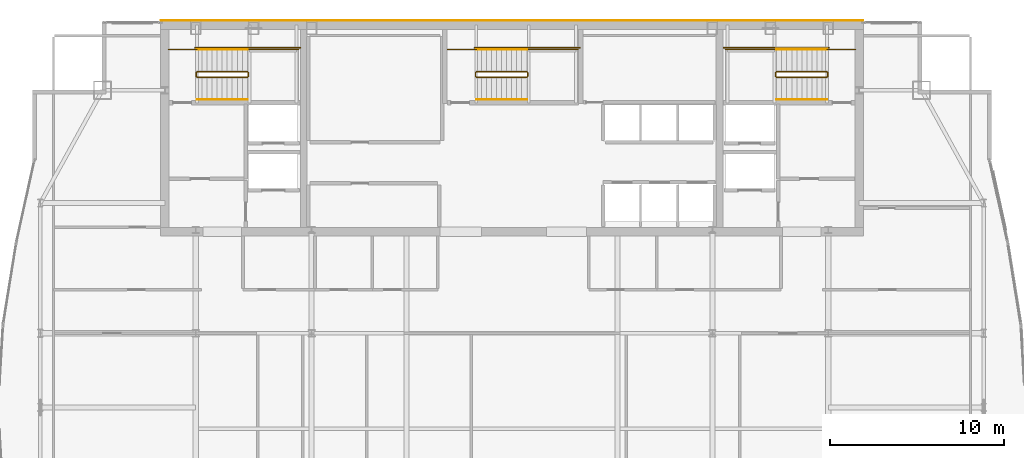
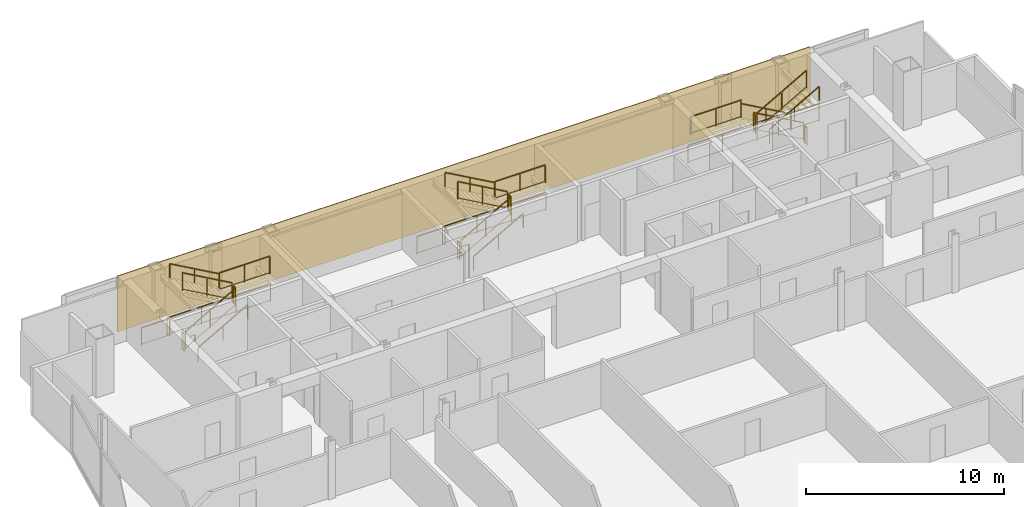
# One storey, part 30 of 30: 27 railings, 1 covering.
"""IFC4 building model written with IfcOpenShell, lengths in metres."""

from ifc_helpers import new_model, si_unit, direction, frame, origin, origin_2d, place, context, subcontext, project, spatial, polyline, rectangle, outline, extrude, material, layer, layer_set, type_object, element, save


model = new_model("IFC4")

# Units and contexts
model_context = context("Model", 3, precision=1e-05, world=origin(), true_north=direction((0.0, 1.0)))
body_context = subcontext(model_context, "Body", "Model", "MODEL_VIEW")
ifc_project = project(units=[si_unit("LENGTHUNIT", "METRE"), si_unit("AREAUNIT", "SQUARE_METRE"), si_unit("VOLUMEUNIT", "CUBIC_METRE"), si_unit("PLANEANGLEUNIT", "RADIAN"), si_unit("MASSUNIT", "GRAM", prefix="KILO")], contexts=[model_context])

# Site, building, storey
site_placement = place(None, origin())
site = spatial("IfcSite", under=ifc_project, at=site_placement, CompositionType="ELEMENT")
building_placement = place(site_placement, origin())
building = spatial("IfcBuilding", under=site, at=building_placement, Name="Khoronbel Lancet Exchange", CompositionType="ELEMENT")
storey_placement = place(building_placement, frame((0.0, 0.0, 269.800048828125)))
storey = spatial("IfcBuildingStorey", under=building, at=storey_placement, Name="L69", CompositionType="ELEMENT", Elevation=269.800048828125)

# Covering
ifc_material_1 = material(Name="Honed Egyptian Limestone & Bronze Rainscreen", Category="masonry")
ifc_layer = layer(ifc_material_1, 0.050048828125, Name="Honed Egyptian Limestone & Bronze Rainscreen")
ifc_layer_set = layer_set([ifc_layer], Name="Honed Egyptian Limestone & Bronze Rainscreen")
covering_type = type_object("IfcCoveringType", Name="COV-CLAD1", PredefinedType="CLADDING", material=ifc_layer_set)
covering_placement = place(storey_placement, origin())
element("IfcCovering", 1, at=covering_placement, inside=storey, type_object=covering_type, Name="Level L69 north rear-core stone and bronze rainscreen cladding", PredefinedType="CLADDING", context=body_context, shape_type="SweptSolid", body=[
    extrude(outline(polyline([(16.199951171875, 53.699951171875), (56.699951171875, 53.699951171875), (56.699951171875, 53.75), (16.199951171875, 53.75), (16.199951171875, 53.699951171875)])), origin(), (0.0, 0.0, 1.0), 3.43994140625),
])

# Railings
ifc_material_2 = material(Name="Painted Steel Balustrade", Category="steel")
railing_type_1 = type_object("IfcRailingType", Name="RL-STG110", PredefinedType="GUARDRAIL", material=ifc_material_2)
railing_1_placement = place(storey_placement, frame((18.300048828125, 50.449951171875, 0.16357421875)))
element("IfcRailing", 2, at=railing_1_placement, inside=storey, type_object=railing_type_1, Name="L69 ST1 stair guard 1", PredefinedType="GUARDRAIL", context=body_context, shape_type="SweptSolid", body=[
    extrude(rectangle(XDim=0.048095703125, YDim=0.048095703125, at=origin_2d()), frame((0.0, 0.0, 1.09619140625), z_axis=(0.870897200241, 0.0, 0.491465224214), x_axis=(0.0, 1.0, 0.0)), (0.0, 0.0, 1.0), 3.329833984375),
    extrude(rectangle(XDim=0.02392578125, YDim=0.02392578125, at=origin_2d()), frame((0.0, 0.0, 0.080078125), z_axis=(0.870897200241, 0.0, 0.491465224214), x_axis=(0.0, 1.0, 0.0)), (0.0, 0.0, 1.0), 3.329833984375),
    extrude(rectangle(XDim=0.0419921875, YDim=0.0419921875, at=origin_2d()), origin(), (0.0, 0.0, 1.0), 1.072021484375),
    extrude(rectangle(XDim=0.0419921875, YDim=0.0419921875, at=origin_2d()), frame((1.449951171875, 0.0, 0.818359375)), (0.0, 0.0, 1.0), 1.072021484375),
    extrude(rectangle(XDim=0.0419921875, YDim=0.0419921875, at=origin_2d()), frame((2.89990234375, 0.0, 1.636474609375)), (0.0, 0.0, 1.0), 1.072021484375),
])
railing_2_placement = place(storey_placement, frame((21.25, 50.5, 1.800048828125)))
element("IfcRailing", 3, at=railing_2_placement, inside=storey, type_object=railing_type_1, Name="L69 ST1 stair guard 2", PredefinedType="GUARDRAIL", context=body_context, shape_type="SweptSolid", body=[
    extrude(rectangle(XDim=0.048095703125, YDim=0.048095703125, at=origin_2d()), frame((0.0, 0.0, 1.09619140625), z_axis=(0.0, 1.0, 0.0), x_axis=(-1.0, 0.0, 0.0)), (0.0, 0.0, 1.0), 0.219970703125),
    extrude(rectangle(XDim=0.02392578125, YDim=0.02392578125, at=origin_2d()), frame((0.0, 0.0, 0.080078125), z_axis=(0.0, 1.0, 0.0), x_axis=(-1.0, 0.0, 0.0)), (0.0, 0.0, 1.0), 0.219970703125),
    extrude(rectangle(XDim=0.0419921875, YDim=0.0419921875, at=origin_2d()), origin(), (0.0, 0.0, 1.0), 1.072021484375),
    extrude(rectangle(XDim=0.0419921875, YDim=0.0419921875, at=origin_2d()), frame((0.0, 0.219970703125, 0.0)), (0.0, 0.0, 1.0), 1.072021484375),
])
railing_3_placement = place(storey_placement, frame((21.199951171875, 52.050048828125, 1.800048828125)))
element("IfcRailing", 4, at=railing_3_placement, inside=storey, type_object=railing_type_1, Name="L69 ST1 stair guard 3", PredefinedType="GUARDRAIL", context=body_context, shape_type="SweptSolid", body=[
    extrude(rectangle(XDim=0.048095703125, YDim=0.048095703125, at=origin_2d()), frame((0.0, 0.0, 1.09619140625), z_axis=(1.0, 0.0, 0.0), x_axis=(0.0, 1.0, 0.0)), (0.0, 0.0, 1.0), 2.949951171875),
    extrude(rectangle(XDim=0.02392578125, YDim=0.02392578125, at=origin_2d()), frame((0.0, 0.0, 0.080078125), z_axis=(1.0, 0.0, 0.0), x_axis=(0.0, 1.0, 0.0)), (0.0, 0.0, 1.0), 2.949951171875),
    extrude(rectangle(XDim=0.0419921875, YDim=0.0419921875, at=origin_2d()), origin(), (0.0, 0.0, 1.0), 1.072021484375),
    extrude(rectangle(XDim=0.0419921875, YDim=0.0419921875, at=origin_2d()), frame((1.47509765625, 0.0, 0.0)), (0.0, 0.0, 1.0), 1.072021484375),
    extrude(rectangle(XDim=0.0419921875, YDim=0.0419921875, at=origin_2d()), frame((2.949951171875, 0.0, 0.0)), (0.0, 0.0, 1.0), 1.072021484375),
])
railing_4_placement = place(storey_placement, frame((21.199951171875, 50.77001953125, 1.963623046875)))
element("IfcRailing", 5, at=railing_4_placement, inside=storey, type_object=railing_type_1, Name="L69 ST1 stair guard 4", PredefinedType="GUARDRAIL", context=body_context, shape_type="SweptSolid", body=[
    extrude(rectangle(XDim=0.048095703125, YDim=0.048095703125, at=origin_2d()), frame((0.0, 0.0, 1.09619140625), z_axis=(-0.870928581787, 0.0, 0.491409610636), x_axis=(0.0, -1.0, 0.0)), (0.0, 0.0, 1.0), 3.32958984375),
    extrude(rectangle(XDim=0.02392578125, YDim=0.02392578125, at=origin_2d()), frame((0.0, 0.0, 0.080078125), z_axis=(-0.870928581787, 0.0, 0.491409610636), x_axis=(0.0, -1.0, 0.0)), (0.0, 0.0, 1.0), 3.32958984375),
    extrude(rectangle(XDim=0.0419921875, YDim=0.0419921875, at=origin_2d()), origin(), (0.0, 0.0, 1.0), 1.072021484375),
    extrude(rectangle(XDim=0.0419921875, YDim=0.0419921875, at=origin_2d()), frame((-1.449951171875, 0.0, 0.818115234375)), (0.0, 0.0, 1.0), 1.072021484375),
    extrude(rectangle(XDim=0.0419921875, YDim=0.0419921875, at=origin_2d()), frame((-2.89990234375, 0.0, 1.63623046875)), (0.0, 0.0, 1.0), 1.072021484375),
])
railing_5_placement = place(storey_placement, frame((18.25, 50.5, 0.0)))
element("IfcRailing", 6, at=railing_5_placement, inside=storey, type_object=railing_type_1, Name="L69 ST1 stair guard 5", PredefinedType="GUARDRAIL", context=body_context, shape_type="SweptSolid", body=[
    extrude(rectangle(XDim=0.048095703125, YDim=0.048095703125, at=origin_2d()), frame((0.0, 0.0, 1.09619140625), z_axis=(0.0, 1.0, 0.0), x_axis=(-1.0, 0.0, 0.0)), (0.0, 0.0, 1.0), 0.219970703125),
    extrude(rectangle(XDim=0.02392578125, YDim=0.02392578125, at=origin_2d()), frame((0.0, 0.0, 0.080078125), z_axis=(0.0, 1.0, 0.0), x_axis=(-1.0, 0.0, 0.0)), (0.0, 0.0, 1.0), 0.219970703125),
    extrude(rectangle(XDim=0.0419921875, YDim=0.0419921875, at=origin_2d()), origin(), (0.0, 0.0, 1.0), 1.072021484375),
    extrude(rectangle(XDim=0.0419921875, YDim=0.0419921875, at=origin_2d()), frame((0.0, 0.219970703125, 0.0)), (0.0, 0.0, 1.0), 1.072021484375),
])
railing_6_placement = place(storey_placement, frame((16.64990234375, 52.050048828125, 0.0)))
element("IfcRailing", 7, at=railing_6_placement, inside=storey, type_object=railing_type_1, Name="L69 ST1 stair guard 6", PredefinedType="GUARDRAIL", context=body_context, shape_type="SweptSolid", body=[
    extrude(rectangle(XDim=0.048095703125, YDim=0.048095703125, at=origin_2d()), frame((0.0, 0.0, 1.09619140625), z_axis=(1.0, 0.0, 0.0), x_axis=(0.0, 1.0, 0.0)), (0.0, 0.0, 1.0), 1.650146484375),
    extrude(rectangle(XDim=0.02392578125, YDim=0.02392578125, at=origin_2d()), frame((0.0, 0.0, 0.080078125), z_axis=(1.0, 0.0, 0.0), x_axis=(0.0, 1.0, 0.0)), (0.0, 0.0, 1.0), 1.650146484375),
    extrude(rectangle(XDim=0.0419921875, YDim=0.0419921875, at=origin_2d()), origin(), (0.0, 0.0, 1.0), 1.072021484375),
    extrude(rectangle(XDim=0.0419921875, YDim=0.0419921875, at=origin_2d()), frame((1.650146484375, 0.0, 0.0)), (0.0, 0.0, 1.0), 1.072021484375),
])
railing_7_placement = place(storey_placement, frame((18.199951171875, 52.14990234375, 0.0)))
element("IfcRailing", 8, at=railing_7_placement, inside=storey, type_object=railing_type_1, Name="L69 ST1 stair guard 7", PredefinedType="GUARDRAIL", context=body_context, shape_type="SweptSolid", body=[
    extrude(rectangle(XDim=0.048095703125, YDim=0.048095703125, at=origin_2d()), frame((0.0, 0.0, 1.09619140625), z_axis=(1.0, 0.0, 0.0), x_axis=(0.0, 1.0, 0.0)), (0.0, 0.0, 1.0), 6.050048828125),
    extrude(rectangle(XDim=0.02392578125, YDim=0.02392578125, at=origin_2d()), frame((0.0, 0.0, 0.080078125), z_axis=(1.0, 0.0, 0.0), x_axis=(0.0, 1.0, 0.0)), (0.0, 0.0, 1.0), 6.050048828125),
    extrude(rectangle(XDim=0.0419921875, YDim=0.0419921875, at=origin_2d()), origin(), (0.0, 0.0, 1.0), 1.072021484375),
    extrude(rectangle(XDim=0.0419921875, YDim=0.0419921875, at=origin_2d()), frame((2.0166015625, 0.0, 0.0)), (0.0, 0.0, 1.0), 1.072021484375),
    extrude(rectangle(XDim=0.0419921875, YDim=0.0419921875, at=origin_2d()), frame((4.033447265625, 0.0, 0.0)), (0.0, 0.0, 1.0), 1.072021484375),
    extrude(rectangle(XDim=0.0419921875, YDim=0.0419921875, at=origin_2d()), frame((6.050048828125, 0.0, 0.0)), (0.0, 0.0, 1.0), 1.072021484375),
])
railing_8_placement = place(storey_placement, frame((54.60009765625, 50.77001953125, 0.16357421875)))
element("IfcRailing", 9, at=railing_8_placement, inside=storey, type_object=railing_type_1, Name="L69 ST2 stair guard 1", PredefinedType="GUARDRAIL", context=body_context, shape_type="SweptSolid", body=[
    extrude(rectangle(XDim=0.048095703125, YDim=0.048095703125, at=origin_2d()), frame((0.0, 0.0, 1.09619140625), z_axis=(-0.870914908162, 0.0, 0.491433843708), x_axis=(0.0, -1.0, 0.0)), (0.0, 0.0, 1.0), 3.330078125),
    extrude(rectangle(XDim=0.02392578125, YDim=0.02392578125, at=origin_2d()), frame((0.0, 0.0, 0.080078125), z_axis=(-0.870914908162, 0.0, 0.491433843708), x_axis=(0.0, -1.0, 0.0)), (0.0, 0.0, 1.0), 3.330078125),
    extrude(rectangle(XDim=0.0419921875, YDim=0.0419921875, at=origin_2d()), origin(), (0.0, 0.0, 1.0), 1.072021484375),
    extrude(rectangle(XDim=0.0419921875, YDim=0.0419921875, at=origin_2d()), frame((-1.4501953125, 0.0, 0.818359375)), (0.0, 0.0, 1.0), 1.072021484375),
    extrude(rectangle(XDim=0.0419921875, YDim=0.0419921875, at=origin_2d()), frame((-2.900146484375, 0.0, 1.636474609375)), (0.0, 0.0, 1.0), 1.072021484375),
])
railing_9_placement = place(storey_placement, frame((51.64990234375, 50.719970703125, 1.800048828125)))
element("IfcRailing", 10, at=railing_9_placement, inside=storey, type_object=railing_type_1, Name="L69 ST2 stair guard 2", PredefinedType="GUARDRAIL", context=body_context, shape_type="SweptSolid", body=[
    extrude(rectangle(XDim=0.048095703125, YDim=0.048095703125, at=origin_2d()), frame((0.0, 0.0, 1.09619140625), z_axis=(0.0, -1.0, 0.0), x_axis=(1.0, 0.0, 0.0)), (0.0, 0.0, 1.0), 0.219970703125),
    extrude(rectangle(XDim=0.02392578125, YDim=0.02392578125, at=origin_2d()), frame((0.0, 0.0, 0.080078125), z_axis=(0.0, -1.0, 0.0), x_axis=(1.0, 0.0, 0.0)), (0.0, 0.0, 1.0), 0.219970703125),
    extrude(rectangle(XDim=0.0419921875, YDim=0.0419921875, at=origin_2d()), origin(), (0.0, 0.0, 1.0), 1.072021484375),
    extrude(rectangle(XDim=0.0419921875, YDim=0.0419921875, at=origin_2d()), frame((0.0, -0.219970703125, 0.0)), (0.0, 0.0, 1.0), 1.072021484375),
])
railing_10_placement = place(storey_placement, frame((51.699951171875, 52.050048828125, 1.800048828125)))
element("IfcRailing", 11, at=railing_10_placement, inside=storey, type_object=railing_type_1, Name="L69 ST2 stair guard 3", PredefinedType="GUARDRAIL", context=body_context, shape_type="SweptSolid", body=[
    extrude(rectangle(XDim=0.048095703125, YDim=0.048095703125, at=origin_2d()), frame((0.0, 0.0, 1.09619140625), z_axis=(-1.0, 0.0, 0.0), x_axis=(0.0, -1.0, 0.0)), (0.0, 0.0, 1.0), 2.949951171875),
    extrude(rectangle(XDim=0.02392578125, YDim=0.02392578125, at=origin_2d()), frame((0.0, 0.0, 0.080078125), z_axis=(-1.0, 0.0, 0.0), x_axis=(0.0, -1.0, 0.0)), (0.0, 0.0, 1.0), 2.949951171875),
    extrude(rectangle(XDim=0.0419921875, YDim=0.0419921875, at=origin_2d()), origin(), (0.0, 0.0, 1.0), 1.072021484375),
    extrude(rectangle(XDim=0.0419921875, YDim=0.0419921875, at=origin_2d()), frame((-1.47509765625, 0.0, 0.0)), (0.0, 0.0, 1.0), 1.072021484375),
    extrude(rectangle(XDim=0.0419921875, YDim=0.0419921875, at=origin_2d()), frame((-2.949951171875, 0.0, 0.0)), (0.0, 0.0, 1.0), 1.072021484375),
])
railing_11_placement = place(storey_placement, frame((51.699951171875, 50.449951171875, 1.963623046875)))
element("IfcRailing", 12, at=railing_11_placement, inside=storey, type_object=railing_type_1, Name="L69 ST2 stair guard 4", PredefinedType="GUARDRAIL", context=body_context, shape_type="SweptSolid", body=[
    extrude(rectangle(XDim=0.048095703125, YDim=0.048095703125, at=origin_2d()), frame((0.0, 0.0, 1.09619140625), z_axis=(0.870946286338, 0.0, 0.49137823142), x_axis=(0.0, 1.0, 0.0)), (0.0, 0.0, 1.0), 3.329833984375),
    extrude(rectangle(XDim=0.02392578125, YDim=0.02392578125, at=origin_2d()), frame((0.0, 0.0, 0.080078125), z_axis=(0.870946286338, 0.0, 0.49137823142), x_axis=(0.0, 1.0, 0.0)), (0.0, 0.0, 1.0), 3.329833984375),
    extrude(rectangle(XDim=0.0419921875, YDim=0.0419921875, at=origin_2d()), origin(), (0.0, 0.0, 1.0), 1.072021484375),
    extrude(rectangle(XDim=0.0419921875, YDim=0.0419921875, at=origin_2d()), frame((1.4501953125, 0.0, 0.818115234375)), (0.0, 0.0, 1.0), 1.072021484375),
    extrude(rectangle(XDim=0.0419921875, YDim=0.0419921875, at=origin_2d()), frame((2.900146484375, 0.0, 1.63623046875)), (0.0, 0.0, 1.0), 1.072021484375),
])
railing_12_placement = place(storey_placement, frame((54.64990234375, 50.719970703125, 0.0)))
element("IfcRailing", 13, at=railing_12_placement, inside=storey, type_object=railing_type_1, Name="L69 ST2 stair guard 5", PredefinedType="GUARDRAIL", context=body_context, shape_type="SweptSolid", body=[
    extrude(rectangle(XDim=0.048095703125, YDim=0.048095703125, at=origin_2d()), frame((0.0, 0.0, 1.09619140625), z_axis=(0.0, -1.0, 0.0), x_axis=(1.0, 0.0, 0.0)), (0.0, 0.0, 1.0), 0.219970703125),
    extrude(rectangle(XDim=0.02392578125, YDim=0.02392578125, at=origin_2d()), frame((0.0, 0.0, 0.080078125), z_axis=(0.0, -1.0, 0.0), x_axis=(1.0, 0.0, 0.0)), (0.0, 0.0, 1.0), 0.219970703125),
    extrude(rectangle(XDim=0.0419921875, YDim=0.0419921875, at=origin_2d()), origin(), (0.0, 0.0, 1.0), 1.072021484375),
    extrude(rectangle(XDim=0.0419921875, YDim=0.0419921875, at=origin_2d()), frame((0.0, -0.219970703125, 0.0)), (0.0, 0.0, 1.0), 1.072021484375),
])
railing_13_placement = place(storey_placement, frame((56.25, 52.050048828125, 0.0)))
element("IfcRailing", 14, at=railing_13_placement, inside=storey, type_object=railing_type_1, Name="L69 ST2 stair guard 6", PredefinedType="GUARDRAIL", context=body_context, shape_type="SweptSolid", body=[
    extrude(rectangle(XDim=0.048095703125, YDim=0.048095703125, at=origin_2d()), frame((0.0, 0.0, 1.09619140625), z_axis=(-1.0, 0.0, 0.0), x_axis=(0.0, -1.0, 0.0)), (0.0, 0.0, 1.0), 1.64990234375),
    extrude(rectangle(XDim=0.02392578125, YDim=0.02392578125, at=origin_2d()), frame((0.0, 0.0, 0.080078125), z_axis=(-1.0, 0.0, 0.0), x_axis=(0.0, -1.0, 0.0)), (0.0, 0.0, 1.0), 1.64990234375),
    extrude(rectangle(XDim=0.0419921875, YDim=0.0419921875, at=origin_2d()), origin(), (0.0, 0.0, 1.0), 1.072021484375),
    extrude(rectangle(XDim=0.0419921875, YDim=0.0419921875, at=origin_2d()), frame((-1.64990234375, 0.0, 0.0)), (0.0, 0.0, 1.0), 1.072021484375),
])
railing_14_placement = place(storey_placement, frame((54.699951171875, 52.14990234375, 0.0)))
element("IfcRailing", 15, at=railing_14_placement, inside=storey, type_object=railing_type_1, Name="L69 ST2 stair guard 7", PredefinedType="GUARDRAIL", context=body_context, shape_type="SweptSolid", body=[
    extrude(rectangle(XDim=0.048095703125, YDim=0.048095703125, at=origin_2d()), frame((0.0, 0.0, 1.09619140625), z_axis=(-1.0, 0.0, 0.0), x_axis=(0.0, -1.0, 0.0)), (0.0, 0.0, 1.0), 6.050048828125),
    extrude(rectangle(XDim=0.02392578125, YDim=0.02392578125, at=origin_2d()), frame((0.0, 0.0, 0.080078125), z_axis=(-1.0, 0.0, 0.0), x_axis=(0.0, -1.0, 0.0)), (0.0, 0.0, 1.0), 6.050048828125),
    extrude(rectangle(XDim=0.0419921875, YDim=0.0419921875, at=origin_2d()), origin(), (0.0, 0.0, 1.0), 1.072021484375),
    extrude(rectangle(XDim=0.0419921875, YDim=0.0419921875, at=origin_2d()), frame((-2.0166015625, 0.0, 0.0)), (0.0, 0.0, 1.0), 1.072021484375),
    extrude(rectangle(XDim=0.0419921875, YDim=0.0419921875, at=origin_2d()), frame((-4.033447265625, 0.0, 0.0)), (0.0, 0.0, 1.0), 1.072021484375),
    extrude(rectangle(XDim=0.0419921875, YDim=0.0419921875, at=origin_2d()), frame((-6.050048828125, 0.0, 0.0)), (0.0, 0.0, 1.0), 1.072021484375),
])
railing_15_placement = place(storey_placement, frame((34.39990234375, 50.449951171875, 0.16357421875)))
element("IfcRailing", 16, at=railing_15_placement, inside=storey, type_object=railing_type_1, Name="L69 ST3 stair guard 1", PredefinedType="GUARDRAIL", context=body_context, shape_type="SweptSolid", body=[
    extrude(rectangle(XDim=0.048095703125, YDim=0.048095703125, at=origin_2d()), frame((0.0, 0.0, 1.09619140625), z_axis=(0.870914908162, 0.0, 0.491433843708), x_axis=(0.0, 1.0, 0.0)), (0.0, 0.0, 1.0), 3.330078125),
    extrude(rectangle(XDim=0.02392578125, YDim=0.02392578125, at=origin_2d()), frame((0.0, 0.0, 0.080078125), z_axis=(0.870914908162, 0.0, 0.491433843708), x_axis=(0.0, 1.0, 0.0)), (0.0, 0.0, 1.0), 3.330078125),
    extrude(rectangle(XDim=0.0419921875, YDim=0.0419921875, at=origin_2d()), origin(), (0.0, 0.0, 1.0), 1.072021484375),
    extrude(rectangle(XDim=0.0419921875, YDim=0.0419921875, at=origin_2d()), frame((1.4501953125, 0.0, 0.818359375)), (0.0, 0.0, 1.0), 1.072021484375),
    extrude(rectangle(XDim=0.0419921875, YDim=0.0419921875, at=origin_2d()), frame((2.900146484375, 0.0, 1.636474609375)), (0.0, 0.0, 1.0), 1.072021484375),
])
railing_16_placement = place(storey_placement, frame((37.35009765625, 50.5, 1.800048828125)))
element("IfcRailing", 17, at=railing_16_placement, inside=storey, type_object=railing_type_1, Name="L69 ST3 stair guard 2", PredefinedType="GUARDRAIL", context=body_context, shape_type="SweptSolid", body=[
    extrude(rectangle(XDim=0.048095703125, YDim=0.048095703125, at=origin_2d()), frame((0.0, 0.0, 1.09619140625), z_axis=(0.0, 1.0, 0.0), x_axis=(-1.0, 0.0, 0.0)), (0.0, 0.0, 1.0), 0.219970703125),
    extrude(rectangle(XDim=0.02392578125, YDim=0.02392578125, at=origin_2d()), frame((0.0, 0.0, 0.080078125), z_axis=(0.0, 1.0, 0.0), x_axis=(-1.0, 0.0, 0.0)), (0.0, 0.0, 1.0), 0.219970703125),
    extrude(rectangle(XDim=0.0419921875, YDim=0.0419921875, at=origin_2d()), origin(), (0.0, 0.0, 1.0), 1.072021484375),
    extrude(rectangle(XDim=0.0419921875, YDim=0.0419921875, at=origin_2d()), frame((0.0, 0.219970703125, 0.0)), (0.0, 0.0, 1.0), 1.072021484375),
])
railing_17_placement = place(storey_placement, frame((37.300048828125, 52.050048828125, 1.800048828125)))
element("IfcRailing", 18, at=railing_17_placement, inside=storey, type_object=railing_type_1, Name="L69 ST3 stair guard 3", PredefinedType="GUARDRAIL", context=body_context, shape_type="SweptSolid", body=[
    extrude(rectangle(XDim=0.048095703125, YDim=0.048095703125, at=origin_2d()), frame((0.0, 0.0, 1.09619140625), z_axis=(1.0, 0.0, 0.0), x_axis=(0.0, 1.0, 0.0)), (0.0, 0.0, 1.0), 2.949951171875),
    extrude(rectangle(XDim=0.02392578125, YDim=0.02392578125, at=origin_2d()), frame((0.0, 0.0, 0.080078125), z_axis=(1.0, 0.0, 0.0), x_axis=(0.0, 1.0, 0.0)), (0.0, 0.0, 1.0), 2.949951171875),
    extrude(rectangle(XDim=0.0419921875, YDim=0.0419921875, at=origin_2d()), origin(), (0.0, 0.0, 1.0), 1.072021484375),
    extrude(rectangle(XDim=0.0419921875, YDim=0.0419921875, at=origin_2d()), frame((1.47509765625, 0.0, 0.0)), (0.0, 0.0, 1.0), 1.072021484375),
    extrude(rectangle(XDim=0.0419921875, YDim=0.0419921875, at=origin_2d()), frame((2.949951171875, 0.0, 0.0)), (0.0, 0.0, 1.0), 1.072021484375),
])
railing_18_placement = place(storey_placement, frame((37.300048828125, 50.77001953125, 1.963623046875)))
element("IfcRailing", 19, at=railing_18_placement, inside=storey, type_object=railing_type_1, Name="L69 ST3 stair guard 4", PredefinedType="GUARDRAIL", context=body_context, shape_type="SweptSolid", body=[
    extrude(rectangle(XDim=0.048095703125, YDim=0.048095703125, at=origin_2d()), frame((0.0, 0.0, 1.09619140625), z_axis=(-0.870946286338, 0.0, 0.49137823142), x_axis=(0.0, -1.0, 0.0)), (0.0, 0.0, 1.0), 3.329833984375),
    extrude(rectangle(XDim=0.02392578125, YDim=0.02392578125, at=origin_2d()), frame((0.0, 0.0, 0.080078125), z_axis=(-0.870946286338, 0.0, 0.49137823142), x_axis=(0.0, -1.0, 0.0)), (0.0, 0.0, 1.0), 3.329833984375),
    extrude(rectangle(XDim=0.0419921875, YDim=0.0419921875, at=origin_2d()), origin(), (0.0, 0.0, 1.0), 1.072021484375),
    extrude(rectangle(XDim=0.0419921875, YDim=0.0419921875, at=origin_2d()), frame((-1.4501953125, 0.0, 0.818115234375)), (0.0, 0.0, 1.0), 1.072021484375),
    extrude(rectangle(XDim=0.0419921875, YDim=0.0419921875, at=origin_2d()), frame((-2.900146484375, 0.0, 1.63623046875)), (0.0, 0.0, 1.0), 1.072021484375),
])
railing_19_placement = place(storey_placement, frame((34.35009765625, 50.5, 0.0)))
element("IfcRailing", 20, at=railing_19_placement, inside=storey, type_object=railing_type_1, Name="L69 ST3 stair guard 5", PredefinedType="GUARDRAIL", context=body_context, shape_type="SweptSolid", body=[
    extrude(rectangle(XDim=0.048095703125, YDim=0.048095703125, at=origin_2d()), frame((0.0, 0.0, 1.09619140625), z_axis=(0.0, 1.0, 0.0), x_axis=(-1.0, 0.0, 0.0)), (0.0, 0.0, 1.0), 0.219970703125),
    extrude(rectangle(XDim=0.02392578125, YDim=0.02392578125, at=origin_2d()), frame((0.0, 0.0, 0.080078125), z_axis=(0.0, 1.0, 0.0), x_axis=(-1.0, 0.0, 0.0)), (0.0, 0.0, 1.0), 0.219970703125),
    extrude(rectangle(XDim=0.0419921875, YDim=0.0419921875, at=origin_2d()), origin(), (0.0, 0.0, 1.0), 1.072021484375),
    extrude(rectangle(XDim=0.0419921875, YDim=0.0419921875, at=origin_2d()), frame((0.0, 0.219970703125, 0.0)), (0.0, 0.0, 1.0), 1.072021484375),
])
railing_20_placement = place(storey_placement, frame((32.75, 52.050048828125, 0.0)))
element("IfcRailing", 21, at=railing_20_placement, inside=storey, type_object=railing_type_1, Name="L69 ST3 stair guard 6", PredefinedType="GUARDRAIL", context=body_context, shape_type="SweptSolid", body=[
    extrude(rectangle(XDim=0.048095703125, YDim=0.048095703125, at=origin_2d()), frame((0.0, 0.0, 1.09619140625), z_axis=(1.0, 0.0, 0.0), x_axis=(0.0, 1.0, 0.0)), (0.0, 0.0, 1.0), 1.64990234375),
    extrude(rectangle(XDim=0.02392578125, YDim=0.02392578125, at=origin_2d()), frame((0.0, 0.0, 0.080078125), z_axis=(1.0, 0.0, 0.0), x_axis=(0.0, 1.0, 0.0)), (0.0, 0.0, 1.0), 1.64990234375),
    extrude(rectangle(XDim=0.0419921875, YDim=0.0419921875, at=origin_2d()), origin(), (0.0, 0.0, 1.0), 1.072021484375),
    extrude(rectangle(XDim=0.0419921875, YDim=0.0419921875, at=origin_2d()), frame((1.64990234375, 0.0, 0.0)), (0.0, 0.0, 1.0), 1.072021484375),
])
railing_21_placement = place(storey_placement, frame((34.300048828125, 52.14990234375, 0.0)))
element("IfcRailing", 22, at=railing_21_placement, inside=storey, type_object=railing_type_1, Name="L69 ST3 stair guard 7", PredefinedType="GUARDRAIL", context=body_context, shape_type="SweptSolid", body=[
    extrude(rectangle(XDim=0.048095703125, YDim=0.048095703125, at=origin_2d()), frame((0.0, 0.0, 1.09619140625), z_axis=(1.0, 0.0, 0.0), x_axis=(0.0, 1.0, 0.0)), (0.0, 0.0, 1.0), 6.050048828125),
    extrude(rectangle(XDim=0.02392578125, YDim=0.02392578125, at=origin_2d()), frame((0.0, 0.0, 0.080078125), z_axis=(1.0, 0.0, 0.0), x_axis=(0.0, 1.0, 0.0)), (0.0, 0.0, 1.0), 6.050048828125),
    extrude(rectangle(XDim=0.0419921875, YDim=0.0419921875, at=origin_2d()), origin(), (0.0, 0.0, 1.0), 1.072021484375),
    extrude(rectangle(XDim=0.0419921875, YDim=0.0419921875, at=origin_2d()), frame((2.0166015625, 0.0, 0.0)), (0.0, 0.0, 1.0), 1.072021484375),
    extrude(rectangle(XDim=0.0419921875, YDim=0.0419921875, at=origin_2d()), frame((4.033447265625, 0.0, 0.0)), (0.0, 0.0, 1.0), 1.072021484375),
    extrude(rectangle(XDim=0.0419921875, YDim=0.0419921875, at=origin_2d()), frame((6.050048828125, 0.0, 0.0)), (0.0, 0.0, 1.0), 1.072021484375),
])
ifc_material_3 = material(Name="Brushed Stainless Steel 316", Category="steel")
railing_type_2 = type_object("IfcRailingType", Name="RL-STH92", PredefinedType="HANDRAIL", material=ifc_material_3)
railing_22_placement = place(storey_placement, frame((18.300048828125, 49.169921875, 0.16357421875)))
element("IfcRailing", 23, at=railing_22_placement, inside=storey, type_object=railing_type_2, Name="L69 ST1 stair handrail 1", PredefinedType="HANDRAIL", context=body_context, shape_type="SweptSolid", body=[
    extrude(rectangle(XDim=0.048095703125, YDim=0.048095703125, at=origin_2d()), frame((0.0, 0.0, 0.8759765625), z_axis=(0.870897200241, 0.0, 0.491465224214), x_axis=(0.0, 1.0, 0.0)), (0.0, 0.0, 1.0), 3.329833984375),
    extrude(rectangle(XDim=0.0419921875, YDim=0.0419921875, at=origin_2d()), origin(), (0.0, 0.0, 1.0), 0.851806640625),
    extrude(rectangle(XDim=0.0419921875, YDim=0.0419921875, at=origin_2d()), frame((1.449951171875, 0.0, 0.818359375)), (0.0, 0.0, 1.0), 0.851806640625),
    extrude(rectangle(XDim=0.0419921875, YDim=0.0419921875, at=origin_2d()), frame((2.89990234375, 0.0, 1.636474609375)), (0.0, 0.0, 1.0), 0.851806640625),
])
railing_23_placement = place(storey_placement, frame((21.199951171875, 52.050048828125, 1.963623046875)))
element("IfcRailing", 24, at=railing_23_placement, inside=storey, type_object=railing_type_2, Name="L69 ST1 stair handrail 2", PredefinedType="HANDRAIL", context=body_context, shape_type="SweptSolid", body=[
    extrude(rectangle(XDim=0.048095703125, YDim=0.048095703125, at=origin_2d()), frame((0.0, 0.0, 0.8759765625), z_axis=(-0.870928581787, 0.0, 0.491409610636), x_axis=(0.0, -1.0, 0.0)), (0.0, 0.0, 1.0), 3.32958984375),
    extrude(rectangle(XDim=0.0419921875, YDim=0.0419921875, at=origin_2d()), origin(), (0.0, 0.0, 1.0), 0.851806640625),
    extrude(rectangle(XDim=0.0419921875, YDim=0.0419921875, at=origin_2d()), frame((-1.449951171875, 0.0, 0.818115234375)), (0.0, 0.0, 1.0), 0.851806640625),
    extrude(rectangle(XDim=0.0419921875, YDim=0.0419921875, at=origin_2d()), frame((-2.89990234375, 0.0, 1.63623046875)), (0.0, 0.0, 1.0), 0.851806640625),
])
railing_24_placement = place(storey_placement, frame((54.60009765625, 52.050048828125, 0.16357421875)))
element("IfcRailing", 25, at=railing_24_placement, inside=storey, type_object=railing_type_2, Name="L69 ST2 stair handrail 1", PredefinedType="HANDRAIL", context=body_context, shape_type="SweptSolid", body=[
    extrude(rectangle(XDim=0.048095703125, YDim=0.048095703125, at=origin_2d()), frame((0.0, 0.0, 0.8759765625), z_axis=(-0.870914908162, 0.0, 0.491433843708), x_axis=(0.0, -1.0, 0.0)), (0.0, 0.0, 1.0), 3.330078125),
    extrude(rectangle(XDim=0.0419921875, YDim=0.0419921875, at=origin_2d()), origin(), (0.0, 0.0, 1.0), 0.851806640625),
    extrude(rectangle(XDim=0.0419921875, YDim=0.0419921875, at=origin_2d()), frame((-1.4501953125, 0.0, 0.818359375)), (0.0, 0.0, 1.0), 0.851806640625),
    extrude(rectangle(XDim=0.0419921875, YDim=0.0419921875, at=origin_2d()), frame((-2.900146484375, 0.0, 1.636474609375)), (0.0, 0.0, 1.0), 0.851806640625),
])
railing_25_placement = place(storey_placement, frame((51.699951171875, 49.169921875, 1.963623046875)))
element("IfcRailing", 26, at=railing_25_placement, inside=storey, type_object=railing_type_2, Name="L69 ST2 stair handrail 2", PredefinedType="HANDRAIL", context=body_context, shape_type="SweptSolid", body=[
    extrude(rectangle(XDim=0.048095703125, YDim=0.048095703125, at=origin_2d()), frame((0.0, 0.0, 0.8759765625), z_axis=(0.870946286338, 0.0, 0.49137823142), x_axis=(0.0, 1.0, 0.0)), (0.0, 0.0, 1.0), 3.329833984375),
    extrude(rectangle(XDim=0.0419921875, YDim=0.0419921875, at=origin_2d()), origin(), (0.0, 0.0, 1.0), 0.851806640625),
    extrude(rectangle(XDim=0.0419921875, YDim=0.0419921875, at=origin_2d()), frame((1.4501953125, 0.0, 0.818115234375)), (0.0, 0.0, 1.0), 0.851806640625),
    extrude(rectangle(XDim=0.0419921875, YDim=0.0419921875, at=origin_2d()), frame((2.900146484375, 0.0, 1.63623046875)), (0.0, 0.0, 1.0), 0.851806640625),
])
railing_26_placement = place(storey_placement, frame((34.39990234375, 49.169921875, 0.16357421875)))
element("IfcRailing", 27, at=railing_26_placement, inside=storey, type_object=railing_type_2, Name="L69 ST3 stair handrail 1", PredefinedType="HANDRAIL", context=body_context, shape_type="SweptSolid", body=[
    extrude(rectangle(XDim=0.048095703125, YDim=0.048095703125, at=origin_2d()), frame((0.0, 0.0, 0.8759765625), z_axis=(0.870914908162, 0.0, 0.491433843708), x_axis=(0.0, 1.0, 0.0)), (0.0, 0.0, 1.0), 3.330078125),
    extrude(rectangle(XDim=0.0419921875, YDim=0.0419921875, at=origin_2d()), origin(), (0.0, 0.0, 1.0), 0.851806640625),
    extrude(rectangle(XDim=0.0419921875, YDim=0.0419921875, at=origin_2d()), frame((1.4501953125, 0.0, 0.818359375)), (0.0, 0.0, 1.0), 0.851806640625),
    extrude(rectangle(XDim=0.0419921875, YDim=0.0419921875, at=origin_2d()), frame((2.900146484375, 0.0, 1.636474609375)), (0.0, 0.0, 1.0), 0.851806640625),
])
railing_27_placement = place(storey_placement, frame((37.300048828125, 52.050048828125, 1.963623046875)))
element("IfcRailing", 28, at=railing_27_placement, inside=storey, type_object=railing_type_2, Name="L69 ST3 stair handrail 2", PredefinedType="HANDRAIL", context=body_context, shape_type="SweptSolid", body=[
    extrude(rectangle(XDim=0.048095703125, YDim=0.048095703125, at=origin_2d()), frame((0.0, 0.0, 0.8759765625), z_axis=(-0.870946286338, 0.0, 0.49137823142), x_axis=(0.0, -1.0, 0.0)), (0.0, 0.0, 1.0), 3.329833984375),
    extrude(rectangle(XDim=0.0419921875, YDim=0.0419921875, at=origin_2d()), origin(), (0.0, 0.0, 1.0), 0.851806640625),
    extrude(rectangle(XDim=0.0419921875, YDim=0.0419921875, at=origin_2d()), frame((-1.4501953125, 0.0, 0.818115234375)), (0.0, 0.0, 1.0), 0.851806640625),
    extrude(rectangle(XDim=0.0419921875, YDim=0.0419921875, at=origin_2d()), frame((-2.900146484375, 0.0, 1.63623046875)), (0.0, 0.0, 1.0), 0.851806640625),
])

save(model, "model.ifc")
